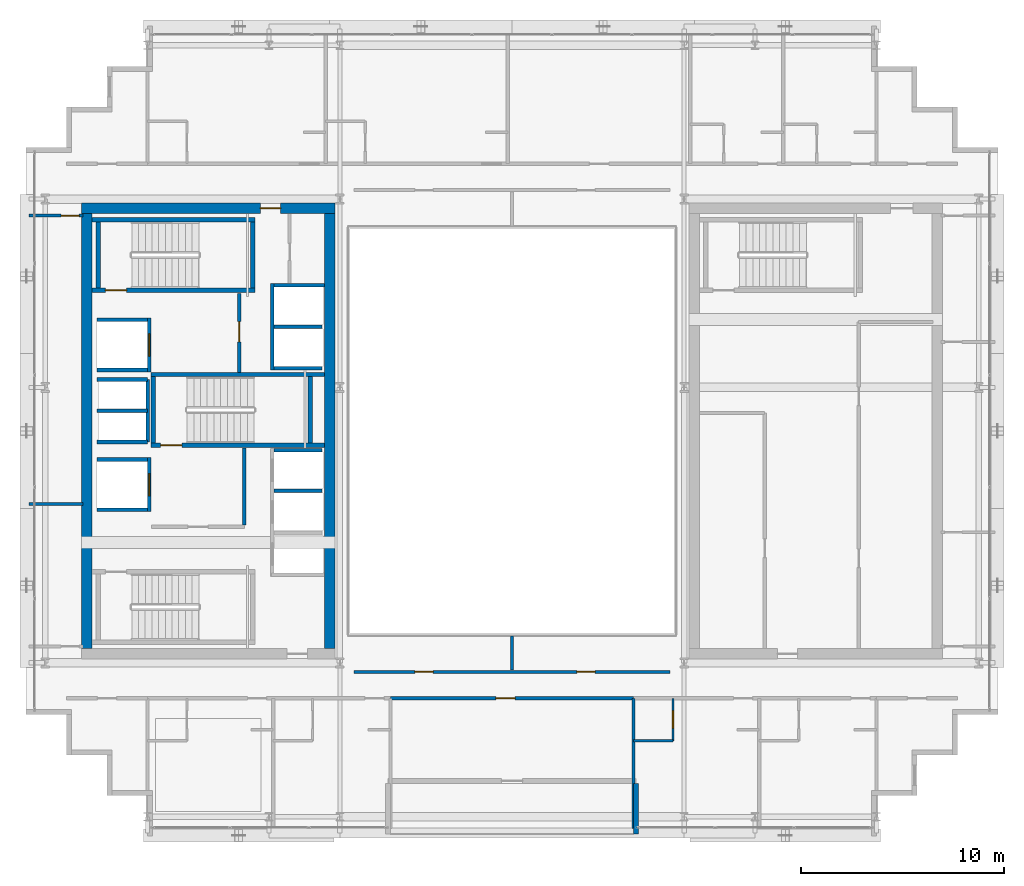
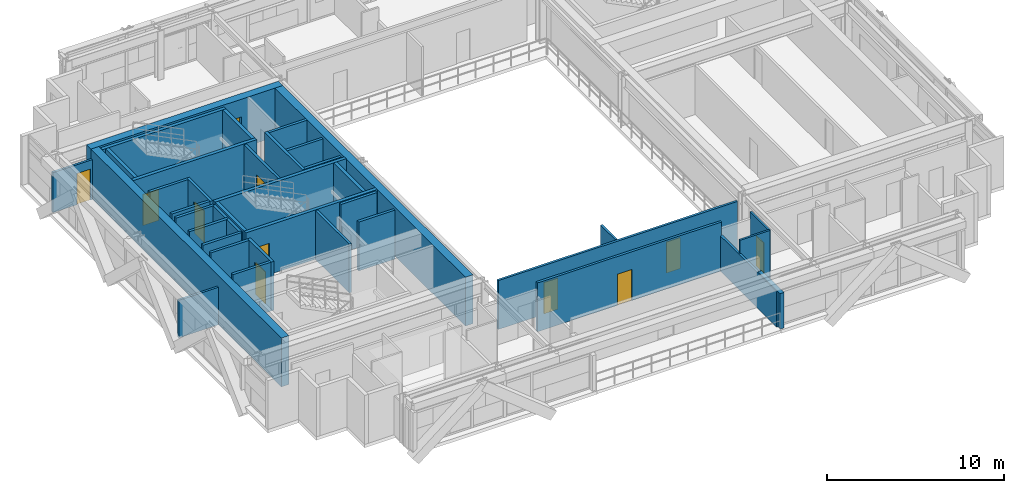
# One storey, part 24 of 31: 38 walls, 11 doors, 11 openings.
"""IFC4 building model written with IfcOpenShell, lengths in metres."""

from ifc_helpers import new_model, si_unit, direction, frame, frame_2d, origin, place, context, subcontext, project, spatial, rectangle, extrude, source, transform, mapped, material, layer, layer_set, type_object, element, fill, save


model = new_model("IFC4")

# Units and contexts
model_context = context("Model", 3, precision=1e-05, world=origin(), true_north=direction((0.0, 1.0)))
body_context = subcontext(model_context, "Body", "Model", "MODEL_VIEW")
ifc_project = project(units=[si_unit("LENGTHUNIT", "METRE"), si_unit("AREAUNIT", "SQUARE_METRE"), si_unit("VOLUMEUNIT", "CUBIC_METRE"), si_unit("PLANEANGLEUNIT", "RADIAN"), si_unit("MASSUNIT", "GRAM", prefix="KILO")], contexts=[model_context])

# Site, building, storey
site_placement = place(None, origin())
site = spatial("IfcSite", under=ifc_project, at=site_placement, CompositionType="ELEMENT")
building_placement = place(site_placement, origin())
building = spatial("IfcBuilding", under=site, at=building_placement, Name="Ocotamira Hotel", CompositionType="ELEMENT")
storey_placement = place(building_placement, frame((0.0, 0.0, 181.199951171875)))
storey = spatial("IfcBuildingStorey", under=building, at=storey_placement, Name="L45", CompositionType="ELEMENT", Elevation=181.199951171875)

# Wall, opening, door
ifc_material_1 = material(Name="Concrete C50/60", Category="concrete")
ifc_layer_1 = layer(ifc_material_1, 0.5)
ifc_layer_set_1 = layer_set([ifc_layer_1], Name="Concrete C50/60")
wall_type_1 = type_object("IfcWallType", Name="WL-CORE-500", PredefinedType="SHEAR", material=ifc_layer_set_1)
wall_1_placement = place(storey_placement, frame((10.75, 37.0, 0.0), z_axis=(0.0, 0.0, 1.0), x_axis=(1.0, 0.0, 0.0)))
wall_1 = element("IfcWall", 1, at=wall_1_placement, inside=storey, type_object=wall_type_1, Name="L45 Shear Core Wall WCORE-N", PredefinedType="SHEAR", context=body_context, shape_type="SweptSolid", body=[
    extrude(rectangle(XDim=12.5, YDim=0.5, at=frame_2d((6.25, 0.0))), origin(), (0.0, 0.0, 1.0), 3.3701171875),
])
opening_1_placement = place(wall_1_placement, frame((8.830078125, 0.0, 0.0)))
opening_1 = element("IfcOpeningElement", 2, at=opening_1_placement, cuts=wall_1, Name="Opening D-FR2", PredefinedType="OPENING", context=body_context, shape_type="SweptSolid", body=[
    extrude(rectangle(XDim=1.0, YDim=2.14990234375, at=frame_2d((0.5, 1.074951171875))), frame((0.0, 0.260009765625, 0.0), z_axis=(0.0, -1.0, 0.0), x_axis=(1.0, 0.0, 0.0)), (0.0, 0.0, 1.0), 0.52001953125),
])
ifc_material_2 = material(Name="Fire-rated acoustic timber-veneer door", Category="wood")
door_type_1 = type_object("IfcDoorType", Name="DR-FIRE-1000", OperationType="NOTDEFINED", PredefinedType="DOOR", material=ifc_material_2)
shared_shape_1 = source(origin(), body_context, "Body", "SweptSolid", [
    extrude(rectangle(XDim=1.0, YDim=2.14990234375, at=frame_2d((0.5, 1.074951171875))), frame((0.0, 0.02490234375, 0.0), z_axis=(0.0, -1.0, 0.0), x_axis=(1.0, 0.0, 0.0)), (0.0, 0.0, 1.0), 0.050048828125),
])
door_1_placement = place(opening_1_placement, origin())
door_1 = element("IfcDoor", 3, at=door_1_placement, inside=storey, type_object=door_type_1, Name="L45 Door ID-L45-WLOB-N-D [ID-L45-WLOB-N-D]", OperationType="SINGLE_SWING_RIGHT", OverallHeight=2.14990234375, OverallWidth=1.0, PredefinedType="DOOR", context=body_context, shape_type="MappedRepresentation", body=[
    mapped(shared_shape_1, transform((0.0, 0.0, 0.0), scale=1.0)),
])
fill(opening_1, door_1)

# Walls
for number, where, z_axis, x_axis, name in (
    (4, (11.0, 15.25, 0.0), (0.0, 0.0, 1.0), (0.0, 1.0, 0.0), "L45 Shear Core Wall WCORE-W"),
    (5, (23.0, 15.25, 0.0), (0.0, 0.0, 1.0), (0.0, 1.0, 0.0), "L45 Shear Core Wall WCORE-E"),
):
    element("IfcWall", number, at=place(storey_placement, frame(where, z_axis=z_axis, x_axis=x_axis)), inside=storey, type_object=wall_type_1, Name=name, PredefinedType="SHEAR", context=body_context, shape_type="SweptSolid", body=[
        extrude(rectangle(XDim=21.5, YDim=0.5, at=frame_2d((10.75, 0.0))), origin(), (0.0, 0.0, 1.0), 3.3701171875),
    ])
ifc_material_3 = material(Name="Precast concrete C45/55", Category="concrete")
ifc_layer_2 = layer(ifc_material_3, 0.25)
ifc_layer_set_2 = layer_set([ifc_layer_2], Name="Precast concrete C45/55")
wall_type_2 = type_object("IfcWallType", Name="WL-EXT-SER-250", PredefinedType="SOLIDWALL", material=ifc_layer_set_2)
wall_2_placement = place(storey_placement, frame((38.125, 6.10009765625, 0.0), z_axis=(0.0, 0.0, 1.0), x_axis=(0.0, 1.0, 0.0)))
element("IfcWall", 6, at=wall_2_placement, inside=storey, type_object=wall_type_2, Name="L45 Sky Terrace Return Wall 1R", PredefinedType="SOLIDWALL", context=body_context, shape_type="SweptSolid", body=[
    extrude(rectangle(XDim=2.5, YDim=0.25, at=frame_2d((1.25, 0.0))), origin(), (0.0, 0.0, 1.0), 2.443115234375),
])
ifc_material_4 = material(Name="Acoustic double-layer fire gypsum board partition", Category="gypsum")
ifc_layer_3 = layer(ifc_material_4, 0.159912109375)
ifc_layer_set_3 = layer_set([ifc_layer_3], Name="Acoustic double-layer fire gypsum board partition")
wall_type_3 = type_object("IfcWallType", Name="WL-FIRE-160", PredefinedType="PARTITIONING", material=ifc_layer_set_3)
wall_3_placement = place(storey_placement, frame((18.780029296875, 21.35009765625, 0.0), z_axis=(0.0, 0.0, 1.0), x_axis=(0.0, 1.0, 0.0)))
element("IfcWall", 7, at=wall_3_placement, inside=storey, type_object=wall_type_3, Name="L45 Interior Wall PW-L45-FSAE1-E", PredefinedType="PARTITIONING", context=body_context, shape_type="SweptSolid", body=[
    extrude(rectangle(XDim=3.809814453125, YDim=0.159912109375, at=frame_2d((1.90478515625, 0.0))), origin(), (0.0, 0.0, 1.0), 3.3701171875),
])

# Wall, opening, door
wall_4_placement = place(storey_placement, frame((18.530029296875, 28.89990234375, 0.0), z_axis=(0.0, 0.0, 1.0), x_axis=(0.0, 1.0, 0.0)))
wall_4 = element("IfcWall", 8, at=wall_4_placement, inside=storey, type_object=wall_type_3, Name="L45 Interior Wall PW-L45-FSAE2-E", PredefinedType="PARTITIONING", context=body_context, shape_type="SweptSolid", body=[
    extrude(rectangle(XDim=3.900146484375, YDim=0.159912109375, at=frame_2d((1.9501953125, 0.0))), origin(), (0.0, 0.0, 1.0), 3.3701171875),
])
opening_2_placement = place(wall_4_placement, frame((1.5, 0.0, 0.0)))
opening_2 = element("IfcOpeningElement", 9, at=opening_2_placement, cuts=wall_4, Name="Opening D-FR2", PredefinedType="OPENING", context=body_context, shape_type="SweptSolid", body=[
    extrude(rectangle(XDim=1.0, YDim=2.14990234375, at=frame_2d((0.5, 1.074951171875))), frame((0.0, 0.08984375, 0.0), z_axis=(0.0, -1.0, 0.0), x_axis=(1.0, 0.0, 0.0)), (0.0, 0.0, 1.0), 0.179931640625),
])
door_2_placement = place(opening_2_placement, origin())
door_2 = element("IfcDoor", 10, at=door_2_placement, inside=storey, type_object=door_type_1, Name="L45 Door ID-L45-FSAE2-D [ID-L45-FSAE2-D]", OperationType="SINGLE_SWING_RIGHT", OverallHeight=2.14990234375, OverallWidth=1.0, PredefinedType="DOOR", context=body_context, shape_type="MappedRepresentation", body=[
    mapped(shared_shape_1, transform((0.0, 0.0, 0.0), scale=1.0)),
])
fill(opening_2, door_2)

wall_5_placement = place(storey_placement, frame((26.0, 12.800048828125, 0.0), z_axis=(0.0, 0.0, 1.0), x_axis=(1.0, 0.0, 0.0)))
wall_5 = element("IfcWall", 11, at=wall_5_placement, inside=storey, type_object=wall_type_3, Name="L45 Interior Wall PW-L45-Z3B-TSALN", PredefinedType="PARTITIONING", context=body_context, shape_type="SweptSolid", body=[
    extrude(rectangle(XDim=12.0, YDim=0.159912109375, at=frame_2d((6.0, 0.0))), origin(), (0.0, 0.0, 1.0), 3.3701171875),
])
opening_3_placement = place(wall_5_placement, frame((5.199951171875, 0.0, 0.0)))
opening_3 = element("IfcOpeningElement", 12, at=opening_3_placement, cuts=wall_5, Name="Opening D-SV4", PredefinedType="OPENING", context=body_context, shape_type="SweptSolid", body=[
    extrude(rectangle(XDim=0.9599609375, YDim=2.14990234375, at=frame_2d((0.47998046875, 1.074951171875))), frame((0.0, 0.08984375, 0.0), z_axis=(0.0, -1.0, 0.0), x_axis=(1.0, 0.0, 0.0)), (0.0, 0.0, 1.0), 0.179931640625),
])
ifc_material_5 = material(Name="Fire-rated accessible walnut salon door", Category="wood")
door_type_2 = type_object("IfcDoorType", Name="DR-SERV-960", OperationType="NOTDEFINED", PredefinedType="DOOR", material=ifc_material_5)
shared_shape_2 = source(origin(), body_context, "Body", "SweptSolid", [
    extrude(rectangle(XDim=0.9599609375, YDim=2.14990234375, at=frame_2d((0.47998046875, 1.074951171875))), frame((0.0, 0.02490234375, 0.0), z_axis=(0.0, -1.0, 0.0), x_axis=(1.0, 0.0, 0.0)), (0.0, 0.0, 1.0), 0.050048828125),
])
door_3_placement = place(opening_3_placement, origin())
door_3 = element("IfcDoor", 13, at=door_3_placement, inside=storey, type_object=door_type_2, Name="L45 Door ID-L45-Z3B-TSALD [ID-L45-Z3B-TSALD]", OperationType="SINGLE_SWING_LEFT", OverallHeight=2.14990234375, OverallWidth=0.9599609375, PredefinedType="DOOR", context=body_context, shape_type="MappedRepresentation", body=[
    mapped(shared_shape_2, transform((0.0, 0.0, 0.0), scale=1.0)),
])
fill(opening_3, door_3)

ifc_material_6 = material(Name="Moisture-resistant en-suite tile and gypsum partition", Category="gypsum")
ifc_layer_4 = layer(ifc_material_6, 0.1201171875)
ifc_layer_set_4 = layer_set([ifc_layer_4], Name="Moisture-resistant en-suite tile and gypsum partition")
wall_type_4 = type_object("IfcWallType", Name="WL-PART-120", PredefinedType="PARTITIONING", material=ifc_layer_set_4)
wall_6_placement = place(storey_placement, frame((39.949951171875, 10.699951171875, 0.0), z_axis=(0.0, 0.0, 1.0), x_axis=(0.0, 1.0, 0.0)))
wall_6 = element("IfcWall", 14, at=wall_6_placement, inside=storey, type_object=wall_type_4, Name="L45 Interior Wall PW-L45-Z3BSE-BAE1", PredefinedType="PARTITIONING", context=body_context, shape_type="SweptSolid", body=[
    extrude(rectangle(XDim=2.10009765625, YDim=0.1201171875, at=frame_2d((1.050048828125, 0.0))), origin(), (0.0, 0.0, 1.0), 3.3701171875),
])
opening_4_placement = place(wall_6_placement, frame((0.6201171875, 0.0, 0.0)))
opening_4 = element("IfcOpeningElement", 15, at=opening_4_placement, cuts=wall_6, Name="Opening D-BA1", PredefinedType="OPENING", context=body_context, shape_type="SweptSolid", body=[
    extrude(rectangle(XDim=0.860107421875, YDim=2.10009765625, at=frame_2d((0.43017578125, 1.050048828125))), frame((0.0, 0.070068359375, 0.0), z_axis=(0.0, -1.0, 0.0), x_axis=(1.0, 0.0, 0.0)), (0.0, 0.0, 1.0), 0.14013671875),
])
ifc_material_7 = material(Name="Moisture-sealed en-suite timber door", Category="wood")
door_type_3 = type_object("IfcDoorType", Name="DR-BATH-860", OperationType="NOTDEFINED", PredefinedType="DOOR", material=ifc_material_7)
shared_shape_3 = source(origin(), body_context, "Body", "SweptSolid", [
    extrude(rectangle(XDim=0.860107421875, YDim=2.10009765625, at=frame_2d((0.43017578125, 1.050048828125))), frame((0.0, 0.02490234375, 0.0), z_axis=(0.0, -1.0, 0.0), x_axis=(1.0, 0.0, 0.0)), (0.0, 0.0, 1.0), 0.050048828125),
])
door_4_placement = place(opening_4_placement, origin())
door_4 = element("IfcDoor", 16, at=door_4_placement, inside=storey, type_object=door_type_3, Name="L45 Door ID-L45-Z3BSE-BAD1 [ID-L45-Z3BSE-BAD1]", OperationType="SINGLE_SWING_RIGHT", OverallHeight=2.10009765625, OverallWidth=0.860107421875, PredefinedType="DOOR", context=body_context, shape_type="MappedRepresentation", body=[
    mapped(shared_shape_3, transform((0.0, 0.0, 0.0), scale=1.0)),
])
fill(opening_4, door_4)

# Walls
wall_7_placement = place(storey_placement, frame((38.0, 10.699951171875, 0.0), z_axis=(0.0, 0.0, 1.0), x_axis=(1.0, 0.0, 0.0)))
element("IfcWall", 17, at=wall_7_placement, inside=storey, type_object=wall_type_4, Name="L45 Interior Wall PW-L45-Z3BSE-BAS1", PredefinedType="PARTITIONING", context=body_context, shape_type="SweptSolid", body=[
    extrude(rectangle(XDim=1.949951171875, YDim=0.1201171875, at=frame_2d((0.97509765625, 0.0))), origin(), (0.0, 0.0, 1.0), 3.3701171875),
])
ifc_material_8 = material(Name="Acoustic hospitality gypsum board partition", Category="gypsum")
ifc_layer_5 = layer(ifc_material_8, 0.14208984375)
ifc_layer_set_5 = layer_set([ifc_layer_5], Name="Acoustic hospitality gypsum board partition")
wall_type_5 = type_object("IfcWallType", Name="WL-PART-142", PredefinedType="PARTITIONING", material=ifc_layer_set_5)
wall_8_placement = place(storey_placement, frame((32.0, 14.199951171875, 0.0), z_axis=(0.0, 0.0, 1.0), x_axis=(0.0, 1.0, 0.0)))
element("IfcWall", 18, at=wall_8_placement, inside=storey, type_object=wall_type_5, Name="L45 Interior Wall PW-L45-Z3B-ASD1", PredefinedType="PARTITIONING", context=body_context, shape_type="SweptSolid", body=[
    extrude(rectangle(XDim=1.679931640625, YDim=0.14208984375, at=frame_2d((0.83984375, 0.0))), origin(), (0.0, 0.0, 1.0), 3.3701171875),
])
wall_9_placement = place(storey_placement, frame((8.159912109375, 22.39990234375, 0.0), z_axis=(0.0, 0.0, 1.0), x_axis=(1.0, 0.0, 0.0)))
element("IfcWall", 19, at=wall_9_placement, inside=storey, type_object=wall_type_5, Name="L45 Interior Wall PW-L45-Z3B-WF-DV1", PredefinedType="PARTITIONING", context=body_context, shape_type="SweptSolid", body=[
    extrude(rectangle(XDim=2.66015625, YDim=0.14208984375, at=frame_2d((1.330078125, 0.0))), origin(), (0.0, 0.0, 1.0), 2.591064453125),
])

# Wall, openings, doors
ifc_layer_6 = layer(ifc_material_8, 0.14990234375)
ifc_layer_set_6 = layer_set([ifc_layer_6], Name="Acoustic hospitality gypsum board partition")
wall_type_6 = type_object("IfcWallType", Name="WL-PART-150", PredefinedType="PARTITIONING", material=ifc_layer_set_6)
wall_10_placement = place(storey_placement, frame((24.199951171875, 14.10009765625, 0.0), z_axis=(0.0, 0.0, 1.0), x_axis=(1.0, 0.0, 0.0)))
wall_10 = element("IfcWall", 20, at=wall_10_placement, inside=storey, type_object=wall_type_6, Name="L45 Interior Wall PW-L45-Z3B-ATRSW", PredefinedType="PARTITIONING", context=body_context, shape_type="SweptSolid", body=[
    extrude(rectangle(XDim=15.60009765625, YDim=0.14990234375, at=frame_2d((7.800048828125, 0.0))), origin(), (0.0, 0.0, 1.0), 3.3701171875),
])
opening_5_placement = place(wall_10_placement, frame((3.0, 0.0, 0.0)))
opening_5 = element("IfcOpeningElement", 21, at=opening_5_placement, cuts=wall_10, Name="Opening D-IN3", PredefinedType="OPENING", context=body_context, shape_type="SweptSolid", body=[
    extrude(rectangle(XDim=0.89990234375, YDim=2.14990234375, at=frame_2d((0.449951171875, 1.074951171875))), frame((0.0, 0.0849609375, 0.0), z_axis=(0.0, -1.0, 0.0), x_axis=(1.0, 0.0, 0.0)), (0.0, 0.0, 1.0), 0.169921875),
])
opening_6_placement = place(wall_10_placement, frame((11.0, 0.0, 0.0)))
opening_6 = element("IfcOpeningElement", 22, at=opening_6_placement, cuts=wall_10, Name="Opening D-IN3", PredefinedType="OPENING", context=body_context, shape_type="SweptSolid", body=[
    extrude(rectangle(XDim=0.89990234375, YDim=2.14990234375, at=frame_2d((0.449951171875, 1.074951171875))), frame((0.0, 0.0849609375, 0.0), z_axis=(0.0, -1.0, 0.0), x_axis=(1.0, 0.0, 0.0)), (0.0, 0.0, 1.0), 0.169921875),
])
ifc_material_9 = material(Name="Painted service room door", Category="steel")
door_type_4 = type_object("IfcDoorType", Name="DR-INT-900", OperationType="NOTDEFINED", PredefinedType="DOOR", material=ifc_material_9)
shared_shape_4 = source(origin(), body_context, "Body", "SweptSolid", [
    extrude(rectangle(XDim=0.89990234375, YDim=2.14990234375, at=frame_2d((0.449951171875, 1.074951171875))), frame((0.0, 0.02490234375, 0.0), z_axis=(0.0, -1.0, 0.0), x_axis=(1.0, 0.0, 0.0)), (0.0, 0.0, 1.0), 0.050048828125),
])
door_5_placement = place(opening_5_placement, origin())
door_5 = element("IfcDoor", 23, at=door_5_placement, inside=storey, type_object=door_type_4, Name="L45 Door ID-L45-Z3B-ASD1D [ID-L45-Z3B-ASD1D]", OperationType="SINGLE_SWING_LEFT", OverallHeight=2.14990234375, OverallWidth=0.89990234375, PredefinedType="DOOR", context=body_context, shape_type="MappedRepresentation", body=[
    mapped(shared_shape_4, transform((0.0, 0.0, 0.0), scale=1.0)),
])
fill(opening_5, door_5)
door_6_placement = place(opening_6_placement, origin())
door_6 = element("IfcDoor", 24, at=door_6_placement, inside=storey, type_object=door_type_4, Name="L45 Door ID-L45-Z3B-ASD2D [ID-L45-Z3B-ASD2D]", OperationType="SINGLE_SWING_RIGHT", OverallHeight=2.14990234375, OverallWidth=0.89990234375, PredefinedType="DOOR", context=body_context, shape_type="MappedRepresentation", body=[
    mapped(shared_shape_4, transform((0.0, 0.0, 0.0), scale=1.0)),
])
fill(opening_6, door_6)

# Wall, opening, door
wall_11_placement = place(storey_placement, frame((8.159912109375, 36.639892578125, 0.0), z_axis=(0.0, 0.0, 1.0), x_axis=(1.0, 0.0, 0.0)))
wall_11 = element("IfcWall", 25, at=wall_11_placement, inside=storey, type_object=wall_type_6, Name="L45 Interior Wall PW-L45-Z3B-WF-WN", PredefinedType="PARTITIONING", context=body_context, shape_type="SweptSolid", body=[
    extrude(rectangle(XDim=2.66015625, YDim=0.14990234375, at=frame_2d((1.330078125, 0.0))), origin(), (0.0, 0.0, 1.0), 2.7529296875),
])
opening_7_placement = place(wall_11_placement, frame((1.580078125, 0.0, 0.0)))
opening_7 = element("IfcOpeningElement", 26, at=opening_7_placement, cuts=wall_11, Name="Opening D-SV2", PredefinedType="OPENING", context=body_context, shape_type="SweptSolid", body=[
    extrude(rectangle(XDim=0.8798828125, YDim=2.14990234375, at=frame_2d((0.43994140625, 1.074951171875))), frame((0.0, 0.0849609375, 0.0), z_axis=(0.0, -1.0, 0.0), x_axis=(1.0, 0.0, 0.0)), (0.0, 0.0, 1.0), 0.169921875),
])
ifc_material_10 = material(Name="Fire-rated painted steel service door", Category="steel")
door_type_5 = type_object("IfcDoorType", Name="DR-SERV-880", OperationType="NOTDEFINED", PredefinedType="DOOR", material=ifc_material_10)
shared_shape_5 = source(origin(), body_context, "Body", "SweptSolid", [
    extrude(rectangle(XDim=0.8798828125, YDim=2.14990234375, at=frame_2d((0.43994140625, 1.074951171875))), frame((0.0, 0.02490234375, 0.0), z_axis=(0.0, -1.0, 0.0), x_axis=(1.0, 0.0, 0.0)), (0.0, 0.0, 1.0), 0.050048828125),
])
door_7_placement = place(opening_7_placement, origin())
door_7 = element("IfcDoor", 27, at=door_7_placement, inside=storey, type_object=door_type_5, Name="L45 Door ID-L45-Z3B-WF-DN [ID-L45-Z3B-WF-DN]", OperationType="SINGLE_SWING_RIGHT", OverallHeight=2.14990234375, OverallWidth=0.8798828125, PredefinedType="DOOR", context=body_context, shape_type="MappedRepresentation", body=[
    mapped(shared_shape_5, transform((0.0, 0.0, 0.0), scale=1.0)),
])
fill(opening_7, door_7)

# Walls
ifc_material_11 = material(Name="Acoustic double-stud hospitality gypsum partition", Category="gypsum")
ifc_layer_7 = layer(ifc_material_11, 0.159912109375)
ifc_layer_set_7 = layer_set([ifc_layer_7], Name="Acoustic double-stud hospitality gypsum partition")
wall_type_7 = type_object("IfcWallType", Name="WL-PART-160", PredefinedType="PARTITIONING", material=ifc_layer_set_7)
wall_12_placement = place(storey_placement, frame((38.0, 6.360107421875, 0.0), z_axis=(0.0, 0.0, 1.0), x_axis=(0.0, 1.0, 0.0)))
element("IfcWall", 28, at=wall_12_placement, inside=storey, type_object=wall_type_7, Name="L45 Interior Wall PW-L45-Z3BSE-PW0", PredefinedType="PARTITIONING", context=body_context, shape_type="SweptSolid", body=[
    extrude(rectangle(XDim=6.43994140625, YDim=0.159912109375, at=frame_2d((3.219970703125, 0.0))), origin(), (0.0, 0.0, 1.0), 2.443115234375),
])
ifc_material_12 = material(Name="Fire-rated gypsum shaftliner board assembly", Category="gypsum")
ifc_layer_8 = layer(ifc_material_12, 0.179931640625)
ifc_layer_set_8 = layer_set([ifc_layer_8], Name="Fire-rated gypsum shaftliner board assembly")
wall_type_8 = type_object("IfcWallType", Name="WL-SHAFT-180", PredefinedType="SOLIDWALL", material=ifc_layer_set_8)
for number, where, z_axis, x_axis, name in (
    (29, (20.25, 25.050048828125, 0.0), (0.0, 0.0, 1.0), (1.0, 0.0, 0.0), "L45 Interior Wall PW-L45-LFW-BANK-high-N"),
    (30, (20.25, 23.044921875, 0.0), (0.0, 0.0, 1.0), (1.0, 0.0, 0.0), "L45 Interior Wall PW-L45-LFW-DIV-LF-P8"),
):
    element("IfcWall", number, at=place(storey_placement, frame(where, z_axis=z_axis, x_axis=x_axis)), inside=storey, type_object=wall_type_8, Name=name, PredefinedType="SOLIDWALL", context=body_context, shape_type="SweptSolid", body=[
        extrude(rectangle(XDim=2.360107421875, YDim=0.179931640625, at=frame_2d((1.18017578125, 0.0))), origin(), (0.0, 0.0, 1.0), 3.3701171875),
    ])
wall_13_placement = place(storey_placement, frame((20.159912109375, 29.0, 0.0), z_axis=(0.0, 0.0, 1.0), x_axis=(0.0, 1.0, 0.0)))
element("IfcWall", 31, at=wall_13_placement, inside=storey, type_object=wall_type_8, Name="L45 Interior Wall PW-L45-LFW-BANK-obs-F", PredefinedType="SOLIDWALL", context=body_context, shape_type="SweptSolid", body=[
    extrude(rectangle(XDim=4.2900390625, YDim=0.179931640625, at=frame_2d((2.14501953125, 0.0))), origin(), (0.0, 0.0, 1.0), 3.3701171875),
])
wall_14_placement = place(storey_placement, frame((20.25, 29.090087890625, 0.0), z_axis=(0.0, 0.0, 1.0), x_axis=(1.0, 0.0, 0.0)))
element("IfcWall", 32, at=wall_14_placement, inside=storey, type_object=wall_type_8, Name="L45 Interior Wall PW-L45-LFW-BANK-obs-S", PredefinedType="SOLIDWALL", context=body_context, shape_type="SweptSolid", body=[
    extrude(rectangle(XDim=2.360107421875, YDim=0.179931640625, at=frame_2d((1.18017578125, 0.0))), origin(), (0.0, 0.0, 1.0), 3.3701171875),
])
wall_15_placement = place(storey_placement, frame((20.25, 33.199951171875, 0.0), z_axis=(0.0, 0.0, 1.0), x_axis=(1.0, 0.0, 0.0)))
element("IfcWall", 33, at=wall_15_placement, inside=storey, type_object=wall_type_8, Name="L45 Interior Wall PW-L45-LFW-BANK-obs-N", PredefinedType="SOLIDWALL", context=body_context, shape_type="SweptSolid", body=[
    extrude(rectangle(XDim=2.5, YDim=0.179931640625, at=frame_2d((1.25, 0.0))), origin(), (0.0, 0.0, 1.0), 3.3701171875),
])
wall_16_placement = place(storey_placement, frame((20.25, 31.14501953125, 0.0), z_axis=(0.0, 0.0, 1.0), x_axis=(1.0, 0.0, 0.0)))
element("IfcWall", 34, at=wall_16_placement, inside=storey, type_object=wall_type_8, Name="L45 Interior Wall PW-L45-LFW-DIV-LF-OBS1", PredefinedType="SOLIDWALL", context=body_context, shape_type="SweptSolid", body=[
    extrude(rectangle(XDim=2.360107421875, YDim=0.179931640625, at=frame_2d((1.18017578125, 0.0))), origin(), (0.0, 0.0, 1.0), 3.3701171875),
])
for number, where, z_axis, x_axis, name in (
    (35, (11.5, 22.110107421875, 0.0), (0.0, 0.0, 1.0), (1.0, 0.0, 0.0), "L45 Interior Wall PW-L45-LFW-LF-FSAE1-S"),
    (36, (11.5, 24.590087890625, 0.0), (0.0, 0.0, 1.0), (1.0, 0.0, 0.0), "L45 Interior Wall PW-L45-LFW-LF-FSAE1-N"),
):
    element("IfcWall", number, at=place(storey_placement, frame(where, z_axis=z_axis, x_axis=x_axis)), inside=storey, type_object=wall_type_8, Name=name, PredefinedType="SOLIDWALL", context=body_context, shape_type="SweptSolid", body=[
        extrude(rectangle(XDim=2.5, YDim=0.179931640625, at=frame_2d((1.25, 0.0))), origin(), (0.0, 0.0, 1.0), 3.3701171875),
    ])

# Wall, opening, door
wall_17_placement = place(storey_placement, frame((14.090087890625, 22.02001953125, 0.0), z_axis=(0.0, 0.0, 1.0), x_axis=(0.0, 1.0, 0.0)))
wall_17 = element("IfcWall", 37, at=wall_17_placement, inside=storey, type_object=wall_type_8, Name="L45 Interior Wall PW-L45-LFW-LF-FSAE1-E", PredefinedType="SOLIDWALL", context=body_context, shape_type="SweptSolid", body=[
    extrude(rectangle(XDim=2.659912109375, YDim=0.179931640625, at=frame_2d((1.330078125, 0.0))), origin(), (0.0, 0.0, 1.0), 3.3701171875),
])
opening_8_placement = place(wall_17_placement, frame((0.780029296875, 0.0, 0.0)))
opening_8 = element("IfcOpeningElement", 38, at=opening_8_placement, cuts=wall_17, Name="Opening LD-LF-FSAE1", PredefinedType="OPENING", context=body_context, shape_type="SweptSolid", body=[
    extrude(rectangle(XDim=1.10009765625, YDim=2.199951171875, at=frame_2d((0.550048828125, 1.10009765625))), frame((0.0, 0.10009765625, 0.0), z_axis=(0.0, -1.0, 0.0), x_axis=(1.0, 0.0, 0.0)), (0.0, 0.0, 1.0), 0.199951171875),
])
ifc_material_13 = material(Name="Brushed pale-metal stainless elevator landing door", Category="steel")
door_type_6 = type_object("IfcDoorType", Name="DR-LIFT-1100", OperationType="NOTDEFINED", PredefinedType="DOOR", material=ifc_material_13)
shared_shape_6 = source(origin(), body_context, "Body", "SweptSolid", [
    extrude(rectangle(XDim=1.10009765625, YDim=2.199951171875, at=frame_2d((0.550048828125, 1.10009765625))), frame((0.0, 0.02490234375, 0.0), z_axis=(0.0, -1.0, 0.0), x_axis=(1.0, 0.0, 0.0)), (0.0, 0.0, 1.0), 0.050048828125),
])
door_8_placement = place(opening_8_placement, origin())
door_8 = element("IfcDoor", 39, at=door_8_placement, inside=storey, type_object=door_type_6, Name="L45 Landing Door LD-LF-FSAE1 [ID-L45-LD-LF-FSAE1]", OperationType="DOUBLE_DOOR_SLIDING", OverallHeight=2.199951171875, OverallWidth=1.10009765625, PredefinedType="DOOR", context=body_context, shape_type="MappedRepresentation", body=[
    mapped(shared_shape_6, transform((0.0, 0.0, 0.0), scale=1.0)),
])
fill(opening_8, door_8)

# Walls
for number, where, z_axis, x_axis, name in (
    (40, (11.5, 29.010009765625, 0.0), (0.0, 0.0, 1.0), (1.0, 0.0, 0.0), "L45 Interior Wall PW-L45-LFW-LF-FSAE2-S"),
    (41, (11.5, 31.489990234375, 0.0), (0.0, 0.0, 1.0), (1.0, 0.0, 0.0), "L45 Interior Wall PW-L45-LFW-LF-FSAE2-N"),
):
    element("IfcWall", number, at=place(storey_placement, frame(where, z_axis=z_axis, x_axis=x_axis)), inside=storey, type_object=wall_type_8, Name=name, PredefinedType="SOLIDWALL", context=body_context, shape_type="SweptSolid", body=[
        extrude(rectangle(XDim=2.5, YDim=0.179931640625, at=frame_2d((1.25, 0.0))), origin(), (0.0, 0.0, 1.0), 3.3701171875),
    ])

# Wall, opening, door
wall_18_placement = place(storey_placement, frame((14.090087890625, 28.919921875, 0.0), z_axis=(0.0, 0.0, 1.0), x_axis=(0.0, 1.0, 0.0)))
wall_18 = element("IfcWall", 42, at=wall_18_placement, inside=storey, type_object=wall_type_8, Name="L45 Interior Wall PW-L45-LFW-LF-FSAE2-E", PredefinedType="SOLIDWALL", context=body_context, shape_type="SweptSolid", body=[
    extrude(rectangle(XDim=2.66015625, YDim=0.179931640625, at=frame_2d((1.330078125, 0.0))), origin(), (0.0, 0.0, 1.0), 3.3701171875),
])
opening_9_placement = place(wall_18_placement, frame((0.780029296875, 0.0, 0.0)))
opening_9 = element("IfcOpeningElement", 43, at=opening_9_placement, cuts=wall_18, Name="Opening LD-LF-FSAE2", PredefinedType="OPENING", context=body_context, shape_type="SweptSolid", body=[
    extrude(rectangle(XDim=1.10009765625, YDim=2.199951171875, at=frame_2d((0.550048828125, 1.10009765625))), frame((0.0, 0.10009765625, 0.0), z_axis=(0.0, -1.0, 0.0), x_axis=(1.0, 0.0, 0.0)), (0.0, 0.0, 1.0), 0.199951171875),
])
door_9_placement = place(opening_9_placement, origin())
door_9 = element("IfcDoor", 44, at=door_9_placement, inside=storey, type_object=door_type_6, Name="L45 Landing Door LD-LF-FSAE2 [ID-L45-LD-LF-FSAE2]", OperationType="DOUBLE_DOOR_SLIDING", OverallHeight=2.199951171875, OverallWidth=1.10009765625, PredefinedType="DOOR", context=body_context, shape_type="MappedRepresentation", body=[
    mapped(shared_shape_6, transform((0.0, 0.0, 0.0), scale=1.0)),
])
fill(opening_9, door_9)

# Walls
for number, where, z_axis, x_axis, name in (
    (45, (11.5, 25.4599609375, 0.0), (0.0, 0.0, 1.0), (1.0, 0.0, 0.0), "L45 Interior Wall PW-L45-RSW-S"),
    (46, (11.5, 27.0, 0.0), (0.0, 0.0, 1.0), (1.0, 0.0, 0.0), "L45 Interior Wall PW-L45-RSW-MID"),
    (47, (11.5, 28.5400390625, 0.0), (0.0, 0.0, 1.0), (1.0, 0.0, 0.0), "L45 Interior Wall PW-L45-RSW-N"),
):
    element("IfcWall", number, at=place(storey_placement, frame(where, z_axis=z_axis, x_axis=x_axis)), inside=storey, type_object=wall_type_8, Name=name, PredefinedType="SOLIDWALL", context=body_context, shape_type="SweptSolid", body=[
        extrude(rectangle(XDim=2.510009765625, YDim=0.179931640625, at=frame_2d((1.2548828125, 0.0))), origin(), (0.0, 0.0, 1.0), 3.3701171875),
    ])
wall_19_placement = place(storey_placement, frame((14.010009765625, 25.4599609375, 0.0), z_axis=(0.0, 0.0, 1.0), x_axis=(0.0, 1.0, 0.0)))
element("IfcWall", 48, at=wall_19_placement, inside=storey, type_object=wall_type_8, Name="L45 Interior Wall PW-L45-RSW-E", PredefinedType="SOLIDWALL", context=body_context, shape_type="SweptSolid", body=[
    extrude(rectangle(XDim=3.080078125, YDim=0.179931640625, at=frame_2d((1.5400390625, 0.0))), origin(), (0.0, 0.0, 1.0), 3.3701171875),
])

# Wall, opening, door
ifc_layer_9 = layer(ifc_material_1, 0.219970703125)
ifc_layer_set_9 = layer_set([ifc_layer_9], Name="Concrete C50/60")
wall_type_9 = type_object("IfcWallType", Name="WL-STAIR-220", PredefinedType="SHEAR", material=ifc_layer_set_9)
wall_20_placement = place(storey_placement, frame((11.25, 32.93994140625, 0.0), z_axis=(0.0, 0.0, 1.0), x_axis=(1.0, 0.0, 0.0)))
wall_20 = element("IfcWall", 49, at=wall_20_placement, inside=storey, type_object=wall_type_9, Name="L45 Stair Shaft Structural Wall ST-2-S", PredefinedType="SHEAR", context=body_context, shape_type="SweptSolid", body=[
    extrude(rectangle(XDim=8.06005859375, YDim=0.219970703125, at=frame_2d((4.030029296875, 0.0))), origin(), (0.0, 0.0, 1.0), 3.400146484375),
])
opening_10_placement = place(wall_20_placement, frame((0.669921875, 0.0, 0.0)))
opening_10 = element("IfcOpeningElement", 50, at=opening_10_placement, cuts=wall_20, Name="Opening D-ST2", PredefinedType="OPENING", context=body_context, shape_type="SweptSolid", body=[
    extrude(rectangle(XDim=1.050048828125, YDim=2.14990234375, at=frame_2d((0.52490234375, 1.074951171875))), frame((0.0, 0.1201171875, 0.0), z_axis=(0.0, -1.0, 0.0), x_axis=(1.0, 0.0, 0.0)), (0.0, 0.0, 1.0), 0.239990234375),
])
ifc_material_14 = material(Name="Insulated painted hollow-metal fire exit door", Category="steel")
door_type_7 = type_object("IfcDoorType", Name="DR-STAIR-1050", OperationType="NOTDEFINED", PredefinedType="DOOR", material=ifc_material_14)
shared_shape_7 = source(origin(), body_context, "Body", "SweptSolid", [
    extrude(rectangle(XDim=1.050048828125, YDim=2.14990234375, at=frame_2d((0.52490234375, 1.074951171875))), frame((0.0, 0.02490234375, 0.0), z_axis=(0.0, -1.0, 0.0), x_axis=(1.0, 0.0, 0.0)), (0.0, 0.0, 1.0), 0.050048828125),
])
door_10_placement = place(opening_10_placement, origin())
door_10 = element("IfcDoor", 51, at=door_10_placement, inside=storey, type_object=door_type_7, Name="L45 Door ID-L45-STD-ST-2 [ID-L45-STD-ST-2]", OperationType="SINGLE_SWING_LEFT", OverallHeight=2.14990234375, OverallWidth=1.050048828125, PredefinedType="DOOR", context=body_context, shape_type="MappedRepresentation", body=[
    mapped(shared_shape_7, transform((0.0, 0.0, 0.0), scale=1.0)),
])
fill(opening_10, door_10)

# Walls
wall_21_placement = place(storey_placement, frame((11.25, 36.43994140625, 0.0), z_axis=(0.0, 0.0, 1.0), x_axis=(1.0, 0.0, 0.0)))
element("IfcWall", 52, at=wall_21_placement, inside=storey, type_object=wall_type_9, Name="L45 Stair Shaft Structural Wall ST-2-N", PredefinedType="SHEAR", context=body_context, shape_type="SweptSolid", body=[
    extrude(rectangle(XDim=8.06005859375, YDim=0.219970703125, at=frame_2d((4.030029296875, 0.0))), origin(), (0.0, 0.0, 1.0), 3.400146484375),
])
for number, where, z_axis, x_axis, name in (
    (53, (11.56005859375, 33.050048828125, 0.0), (0.0, 0.0, 1.0), (0.0, 1.0, 0.0), "L45 Stair Shaft Structural Wall ST-2-W"),
    (54, (19.199951171875, 33.050048828125, 0.0), (0.0, 0.0, 1.0), (0.0, 1.0, 0.0), "L45 Stair Shaft Structural Wall ST-2-E"),
):
    element("IfcWall", number, at=place(storey_placement, frame(where, z_axis=z_axis, x_axis=x_axis)), inside=storey, type_object=wall_type_9, Name=name, PredefinedType="SHEAR", context=body_context, shape_type="SweptSolid", body=[
        extrude(rectangle(XDim=3.280029296875, YDim=0.219970703125, at=frame_2d((1.64013671875, 0.0))), origin(), (0.0, 0.0, 1.0), 3.400146484375),
    ])

# Wall, opening, door
wall_22_placement = place(storey_placement, frame((14.179931640625, 25.2900390625, 0.0), z_axis=(0.0, 0.0, 1.0), x_axis=(1.0, 0.0, 0.0)))
wall_22 = element("IfcWall", 55, at=wall_22_placement, inside=storey, type_object=wall_type_9, Name="L45 Stair Shaft Structural Wall ST-3-S", PredefinedType="SHEAR", context=body_context, shape_type="SweptSolid", body=[
    extrude(rectangle(XDim=8.570068359375, YDim=0.219970703125, at=frame_2d((4.28515625, 0.0))), origin(), (0.0, 0.0, 1.0), 3.400146484375),
])
opening_11_placement = place(wall_22_placement, frame((0.469970703125, 0.0, 0.0)))
opening_11 = element("IfcOpeningElement", 56, at=opening_11_placement, cuts=wall_22, Name="Opening D-ST2", PredefinedType="OPENING", context=body_context, shape_type="SweptSolid", body=[
    extrude(rectangle(XDim=1.050048828125, YDim=2.14990234375, at=frame_2d((0.52490234375, 1.074951171875))), frame((0.0, 0.1201171875, 0.0), z_axis=(0.0, -1.0, 0.0), x_axis=(1.0, 0.0, 0.0)), (0.0, 0.0, 1.0), 0.239990234375),
])
door_11_placement = place(opening_11_placement, origin())
door_11 = element("IfcDoor", 57, at=door_11_placement, inside=storey, type_object=door_type_7, Name="L45 Door ID-L45-STD-ST-3 [ID-L45-STD-ST-3]", OperationType="SINGLE_SWING_RIGHT", OverallHeight=2.14990234375, OverallWidth=1.050048828125, PredefinedType="DOOR", context=body_context, shape_type="MappedRepresentation", body=[
    mapped(shared_shape_7, transform((0.0, 0.0, 0.0), scale=1.0)),
])
fill(opening_11, door_11)

# Walls
wall_23_placement = place(storey_placement, frame((14.179931640625, 28.7900390625, 0.0), z_axis=(0.0, 0.0, 1.0), x_axis=(1.0, 0.0, 0.0)))
element("IfcWall", 58, at=wall_23_placement, inside=storey, type_object=wall_type_9, Name="L45 Stair Shaft Structural Wall ST-3-N", PredefinedType="SHEAR", context=body_context, shape_type="SweptSolid", body=[
    extrude(rectangle(XDim=8.570068359375, YDim=0.219970703125, at=frame_2d((4.28515625, 0.0))), origin(), (0.0, 0.0, 1.0), 3.400146484375),
])
for number, where, z_axis, x_axis, name in (
    (59, (14.2900390625, 25.39990234375, 0.0), (0.0, 0.0, 1.0), (0.0, 1.0, 0.0), "L45 Stair Shaft Structural Wall ST-3-W"),
    (60, (22.030029296875, 25.39990234375, 0.0), (0.0, 0.0, 1.0), (0.0, 1.0, 0.0), "L45 Stair Shaft Structural Wall ST-3-E"),
):
    element("IfcWall", number, at=place(storey_placement, frame(where, z_axis=z_axis, x_axis=x_axis)), inside=storey, type_object=wall_type_9, Name=name, PredefinedType="SHEAR", context=body_context, shape_type="SweptSolid", body=[
        extrude(rectangle(XDim=3.280029296875, YDim=0.219970703125, at=frame_2d((1.64013671875, 0.0))), origin(), (0.0, 0.0, 1.0), 3.400146484375),
    ])

save(model, "model.ifc")
